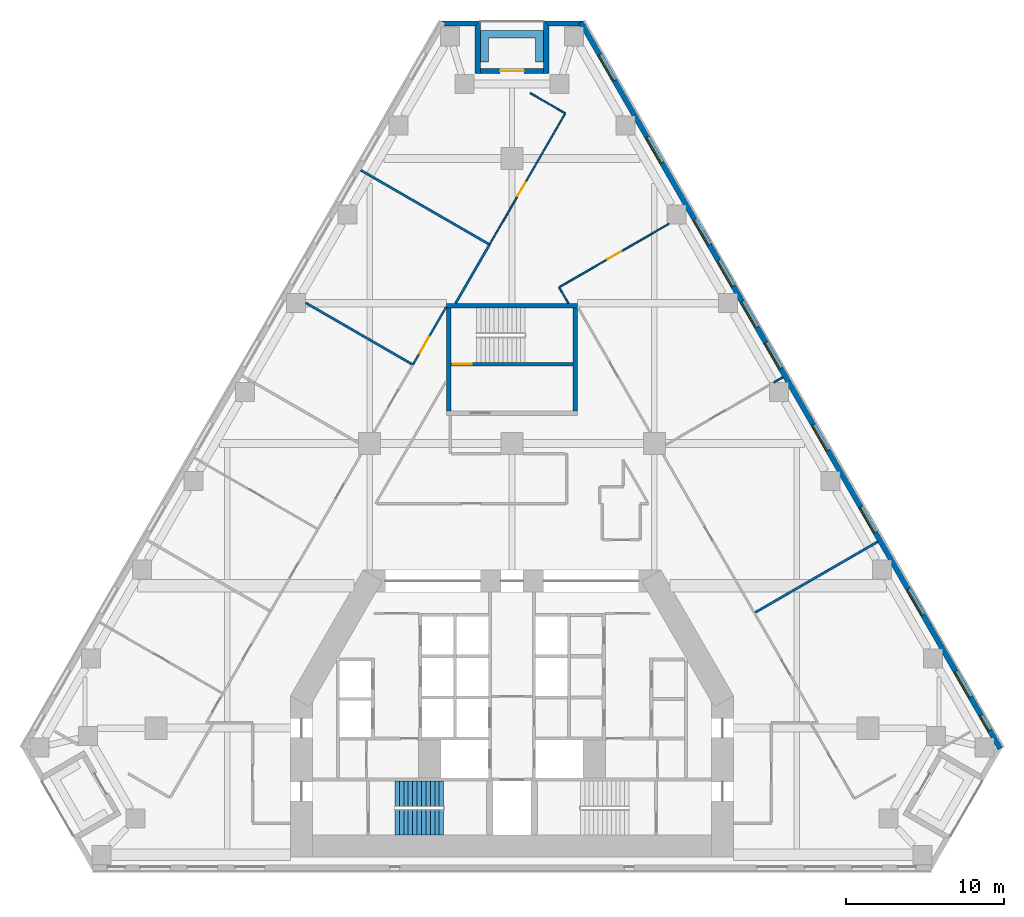
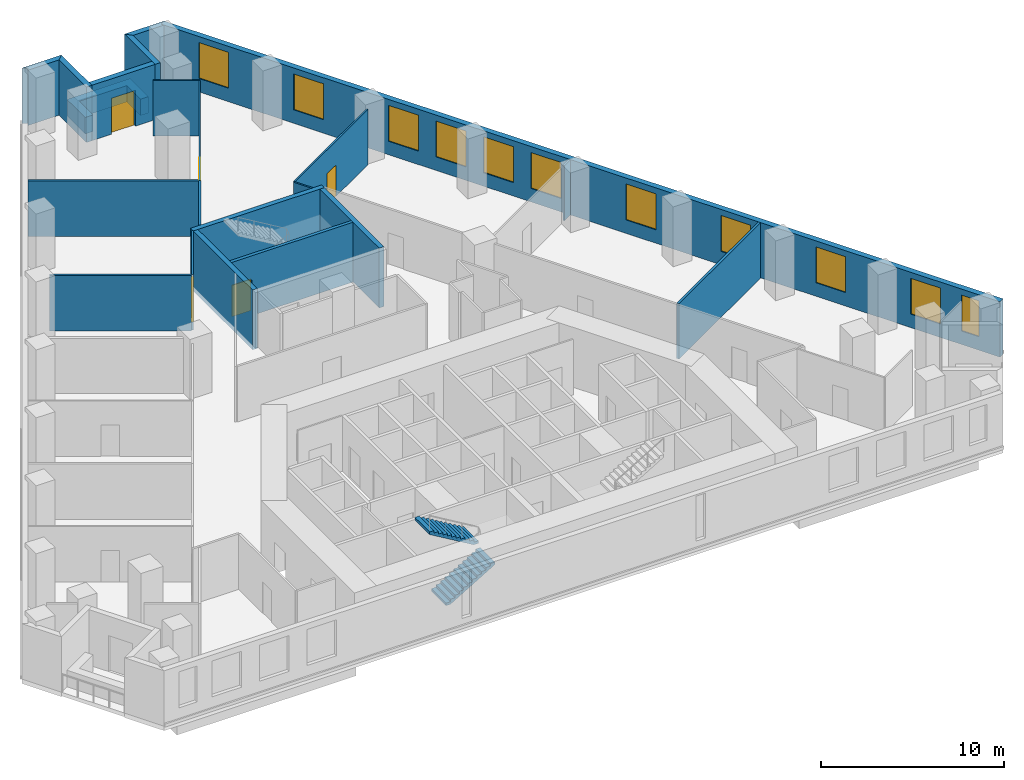
# One storey, part 7 of 9: 21 walls, 11 windows, 5 doors, 2 stair flights, 16 openings, 1 element without a shape of its own.
"""IFC4 building model written with IfcOpenShell, lengths in metres."""

from ifc_helpers import new_model, si_unit, direction, frame, frame_2d, origin, place, context, subcontext, project, spatial, polyline, rectangle, outline, extrude, material, layer, layer_set, type_object, element, fill, aggregate, save


model = new_model("IFC4")

# Units and contexts
model_context = context("Model", 3, precision=1e-05, world=origin(), true_north=direction((0.0, 1.0)))
body_context = subcontext(model_context, "Body", "Model", "MODEL_VIEW")
ifc_project = project(units=[si_unit("LENGTHUNIT", "METRE"), si_unit("AREAUNIT", "SQUARE_METRE"), si_unit("VOLUMEUNIT", "CUBIC_METRE"), si_unit("PLANEANGLEUNIT", "RADIAN"), si_unit("MASSUNIT", "GRAM", prefix="KILO")], contexts=[model_context])

# Site, building, storey
site_placement = place(None, origin())
site = spatial("IfcSite", under=ifc_project, at=site_placement, CompositionType="ELEMENT")
building_placement = place(site_placement, origin())
building = spatial("IfcBuilding", under=site, at=building_placement, Name="Fogline Exchange Tower", CompositionType="ELEMENT")
storey_placement = place(building_placement, frame((0.0, 0.0, 80.89990234375)))
storey = spatial("IfcBuildingStorey", under=building, at=storey_placement, Name="L17", CompositionType="ELEMENT", Elevation=80.89990234375)

# Wall, opening, door
ifc_material_1 = material(Name="Concrete C40", Category="concrete")
ifc_layer_1 = layer(ifc_material_1, 0.199951171875)
ifc_layer_set_1 = layer_set([ifc_layer_1], Name="CW20R")
wall_type_1 = type_object("IfcWallType", Name="CW20R", PredefinedType="SOLIDWALL", material=ifc_layer_set_1)
wall_1_placement = place(storey_placement, frame((-3.85009765625, 32.007080078125, -0.2998046875), z_axis=(0.0, 0.0, 1.0), x_axis=(1.0, 0.0, 0.0)))
wall_1 = element("IfcWall", 1, at=wall_1_placement, inside=storey, type_object=wall_type_1, Name="Stair enclosure wall ST3", PredefinedType="SOLIDWALL", context=body_context, shape_type="SweptSolid", body=[
    extrude(rectangle(XDim=7.7001953125, YDim=0.199951171875, at=frame_2d((3.85009765625, 0.0))), origin(), (0.0, 0.0, 1.0), 4.0),
])
opening_1_placement = place(wall_1_placement, frame((0.10009765625, 0.0, 0.300048828125)))
opening_1 = element("IfcOpeningElement", 2, at=opening_1_placement, cuts=wall_1, Name="Opening T05-C024", PredefinedType="OPENING", context=body_context, shape_type="SweptSolid", body=[
    extrude(rectangle(XDim=1.199951171875, YDim=2.10009765625, at=frame_2d((0.60009765625, 1.050048828125))), frame((0.0, 0.10986328125, 0.0), z_axis=(0.0, -1.0, 0.0), x_axis=(1.0, 0.0, 0.0)), (0.0, 0.0, 1.0), 0.219970703125),
])
ifc_material_2 = material(Name="Steel and timber fire door", Category="steel")
door_type_1 = type_object("IfcDoorType", Name="D-ST1", OperationType="SINGLE_SWING_LEFT", PredefinedType="DOOR", material=ifc_material_2)
door_1_placement = place(opening_1_placement, origin())
door_1 = element("IfcDoor", 3, at=door_1_placement, inside=storey, type_object=door_type_1, Name="Stair door ST3", OperationType="SINGLE_SWING_LEFT", OverallHeight=2.10009765625, OverallWidth=1.199951171875, PredefinedType="DOOR", context=body_context, shape_type="SweptSolid", body=[
    extrude(rectangle(XDim=1.199951171875, YDim=2.10009765625, at=frame_2d((0.60009765625, 1.050048828125))), frame((0.0, 0.02490234375, 0.0), z_axis=(0.0, -1.0, 0.0), x_axis=(1.0, 0.0, 0.0)), (0.0, 0.0, 1.0), 0.050048828125),
])
fill(opening_1, door_1)

# Walls
ifc_layer_2 = layer(ifc_material_1, 0.300048828125)
ifc_layer_set_2 = layer_set([ifc_layer_2], Name="CW30")
wall_type_2 = type_object("IfcWallType", Name="CW30", PredefinedType="SOLIDWALL", material=ifc_layer_set_2)
wall_2_placement = place(storey_placement, frame((-4.14990234375, 35.70703125, -0.2998046875), z_axis=(0.0, 0.0, 1.0), x_axis=(1.0, 0.0, 0.0)))
element("IfcWall", 4, at=wall_2_placement, inside=storey, type_object=wall_type_2, Name="Stair enclosure wall ST3", PredefinedType="SOLIDWALL", context=body_context, shape_type="SweptSolid", body=[
    extrude(rectangle(XDim=8.2998046875, YDim=0.300048828125, at=frame_2d((4.14990234375, 0.0))), origin(), (0.0, 0.0, 1.0), 4.0),
])
for number, where, z_axis, x_axis, name in (
    (5, (-4.0, 29.056884765625, -0.2998046875), (0.0, 0.0, 1.0), (0.0, 1.0, 0.0), "Stair enclosure wall ST3"),
    (6, (4.0, 29.056884765625, -0.2998046875), (0.0, 0.0, 1.0), (0.0, 1.0, 0.0), "Stair enclosure wall ST3"),
):
    element("IfcWall", number, at=place(storey_placement, frame(where, z_axis=z_axis, x_axis=x_axis)), inside=storey, type_object=wall_type_2, Name=name, PredefinedType="SOLIDWALL", context=body_context, shape_type="SweptSolid", body=[
        extrude(rectangle(XDim=6.5, YDim=0.300048828125, at=frame_2d((3.25, 0.0))), origin(), (0.0, 0.0, 1.0), 4.0),
    ])

# Wall, openings, windows
ifc_material_3 = material(Name="Brick masonry", Category="masonry")
ifc_layer_3 = layer(ifc_material_3, 0.340087890625)
ifc_layer_set_3 = layer_set([ifc_layer_3], Name="FW1")
wall_type_3 = type_object("IfcWallType", Name="FW1", PredefinedType="SOLIDWALL", material=ifc_layer_set_3)
wall_3_placement = place(storey_placement, frame((30.86328125, 7.709228515625, 0.0), z_axis=(0.0, 0.0, 1.0), x_axis=(-0.500000400847, 0.866025172355, 0.0)))
wall_3 = element("IfcWall", 7, at=wall_3_placement, inside=storey, type_object=wall_type_3, Name="Brick wall L17 E", PredefinedType="SOLIDWALL", context=body_context, shape_type="SweptSolid", body=[
    extrude(rectangle(XDim=53.02099609375, YDim=0.340087890625, at=frame_2d((26.510498046875, 0.0))), origin(), (0.0, 0.0, 1.0), 3.7001953125),
])
opening_2_placement = place(wall_3_placement, frame((3.755126953125, 0.0, 0.89990234375)))
opening_2 = element("IfcOpeningElement", 8, at=opening_2_placement, cuts=wall_3, Name="Opening W1", PredefinedType="OPENING", context=body_context, shape_type="SweptSolid", body=[
    extrude(rectangle(XDim=1.885009765625, YDim=2.39990234375, at=frame_2d((0.9423828125, 1.199951171875))), frame((0.0, 0.18017578125, 0.0), z_axis=(0.0, -1.0, 0.0), x_axis=(1.0, 0.0, 0.0)), (0.0, 0.0, 1.0), 0.360107421875),
])
opening_3_placement = place(wall_3_placement, frame((9.755126953125, 0.0, 0.89990234375)))
opening_3 = element("IfcOpeningElement", 9, at=opening_3_placement, cuts=wall_3, Name="Opening W1", PredefinedType="OPENING", context=body_context, shape_type="SweptSolid", body=[
    extrude(rectangle(XDim=1.885009765625, YDim=2.39990234375, at=frame_2d((0.9423828125, 1.199951171875))), frame((0.0, 0.18017578125, 0.0), z_axis=(0.0, -1.0, 0.0), x_axis=(1.0, 0.0, 0.0)), (0.0, 0.0, 1.0), 0.360107421875),
])
opening_4_placement = place(wall_3_placement, frame((15.755126953125, 0.0, 0.89990234375)))
opening_4 = element("IfcOpeningElement", 10, at=opening_4_placement, cuts=wall_3, Name="Opening W1", PredefinedType="OPENING", context=body_context, shape_type="SweptSolid", body=[
    extrude(rectangle(XDim=1.885009765625, YDim=2.39990234375, at=frame_2d((0.9423828125, 1.199951171875))), frame((0.0, 0.18017578125, 0.0), z_axis=(0.0, -1.0, 0.0), x_axis=(1.0, 0.0, 0.0)), (0.0, 0.0, 1.0), 0.360107421875),
])
opening_5_placement = place(wall_3_placement, frame((21.755126953125, 0.0, 0.89990234375)))
opening_5 = element("IfcOpeningElement", 11, at=opening_5_placement, cuts=wall_3, Name="Opening W1", PredefinedType="OPENING", context=body_context, shape_type="SweptSolid", body=[
    extrude(rectangle(XDim=1.885009765625, YDim=2.39990234375, at=frame_2d((0.9423828125, 1.199951171875))), frame((0.0, 0.18017578125, 0.0), z_axis=(0.0, -1.0, 0.0), x_axis=(1.0, 0.0, 0.0)), (0.0, 0.0, 1.0), 0.360107421875),
])
opening_6_placement = place(wall_3_placement, frame((27.755126953125, 0.0, 0.89990234375)))
opening_6 = element("IfcOpeningElement", 12, at=opening_6_placement, cuts=wall_3, Name="Opening W1", PredefinedType="OPENING", context=body_context, shape_type="SweptSolid", body=[
    extrude(rectangle(XDim=1.885009765625, YDim=2.39990234375, at=frame_2d((0.9423828125, 1.199951171875))), frame((0.0, 0.18017578125, 0.0), z_axis=(0.0, -1.0, 0.0), x_axis=(1.0, 0.0, 0.0)), (0.0, 0.0, 1.0), 0.360107421875),
])
opening_7_placement = place(wall_3_placement, frame((30.755126953125, 0.0, 0.89990234375)))
opening_7 = element("IfcOpeningElement", 13, at=opening_7_placement, cuts=wall_3, Name="Opening W1", PredefinedType="OPENING", context=body_context, shape_type="SweptSolid", body=[
    extrude(rectangle(XDim=1.885009765625, YDim=2.39990234375, at=frame_2d((0.9423828125, 1.199951171875))), frame((0.0, 0.18017578125, 0.0), z_axis=(0.0, -1.0, 0.0), x_axis=(1.0, 0.0, 0.0)), (0.0, 0.0, 1.0), 0.360107421875),
])
opening_8_placement = place(wall_3_placement, frame((33.755126953125, 0.0, 0.89990234375)))
opening_8 = element("IfcOpeningElement", 14, at=opening_8_placement, cuts=wall_3, Name="Opening W1", PredefinedType="OPENING", context=body_context, shape_type="SweptSolid", body=[
    extrude(rectangle(XDim=1.885009765625, YDim=2.39990234375, at=frame_2d((0.9423828125, 1.199951171875))), frame((0.0, 0.18017578125, 0.0), z_axis=(0.0, -1.0, 0.0), x_axis=(1.0, 0.0, 0.0)), (0.0, 0.0, 1.0), 0.360107421875),
])
opening_9_placement = place(wall_3_placement, frame((36.755126953125, 0.0, 0.89990234375)))
opening_9 = element("IfcOpeningElement", 15, at=opening_9_placement, cuts=wall_3, Name="Opening W1", PredefinedType="OPENING", context=body_context, shape_type="SweptSolid", body=[
    extrude(rectangle(XDim=1.885009765625, YDim=2.39990234375, at=frame_2d((0.9423828125, 1.199951171875))), frame((0.0, 0.18017578125, 0.0), z_axis=(0.0, -1.0, 0.0), x_axis=(1.0, 0.0, 0.0)), (0.0, 0.0, 1.0), 0.360107421875),
])
opening_10_placement = place(wall_3_placement, frame((42.755126953125, 0.0, 0.89990234375)))
opening_10 = element("IfcOpeningElement", 16, at=opening_10_placement, cuts=wall_3, Name="Opening W1", PredefinedType="OPENING", context=body_context, shape_type="SweptSolid", body=[
    extrude(rectangle(XDim=1.885009765625, YDim=2.39990234375, at=frame_2d((0.9423828125, 1.199951171875))), frame((0.0, 0.18017578125, 0.0), z_axis=(0.0, -1.0, 0.0), x_axis=(1.0, 0.0, 0.0)), (0.0, 0.0, 1.0), 0.360107421875),
])
opening_11_placement = place(wall_3_placement, frame((48.755126953125, 0.0, 0.89990234375)))
opening_11 = element("IfcOpeningElement", 17, at=opening_11_placement, cuts=wall_3, Name="Opening W1", PredefinedType="OPENING", context=body_context, shape_type="SweptSolid", body=[
    extrude(rectangle(XDim=1.885009765625, YDim=2.39990234375, at=frame_2d((0.9423828125, 1.199951171875))), frame((0.0, 0.18017578125, 0.0), z_axis=(0.0, -1.0, 0.0), x_axis=(1.0, 0.0, 0.0)), (0.0, 0.0, 1.0), 0.360107421875),
])
opening_12_placement = place(wall_3_placement, frame((1.320068359375, 0.0, 0.89990234375)))
opening_12 = element("IfcOpeningElement", 18, at=opening_12_placement, cuts=wall_3, Name="Opening W4", PredefinedType="OPENING", context=body_context, shape_type="SweptSolid", body=[
    extrude(rectangle(XDim=1.114990234375, YDim=2.39990234375, at=frame_2d((0.5576171875, 1.199951171875))), frame((0.0, 0.18017578125, 0.0), z_axis=(0.0, -1.0, 0.0), x_axis=(1.0, 0.0, 0.0)), (0.0, 0.0, 1.0), 0.360107421875),
])
ifc_material_4 = material(Name="Aluminium and glass", Category="aluminium")
window_type_1 = type_object("IfcWindowType", Name="W1", PartitioningType="SINGLE_PANEL", PredefinedType="WINDOW", material=ifc_material_4)
window_1_placement = place(opening_2_placement, origin())
window_1 = element("IfcWindow", 19, at=window_1_placement, inside=storey, type_object=window_type_1, Name="W1 W1", OverallHeight=2.39990234375, OverallWidth=1.885009765625, PartitioningType="SINGLE_PANEL", PredefinedType="WINDOW", context=body_context, shape_type="SweptSolid", body=[
    extrude(rectangle(XDim=1.885009765625, YDim=2.39990234375, at=frame_2d((0.9423828125, 1.199951171875))), frame((0.0, 0.110107421875, 0.0), z_axis=(0.0, -1.0, 0.0), x_axis=(1.0, 0.0, 0.0)), (0.0, 0.0, 1.0), 0.06005859375),
])
fill(opening_2, window_1)
window_2_placement = place(opening_3_placement, origin())
window_2 = element("IfcWindow", 20, at=window_2_placement, inside=storey, type_object=window_type_1, Name="W1 W1", OverallHeight=2.39990234375, OverallWidth=1.885009765625, PartitioningType="SINGLE_PANEL", PredefinedType="WINDOW", context=body_context, shape_type="SweptSolid", body=[
    extrude(rectangle(XDim=1.885009765625, YDim=2.39990234375, at=frame_2d((0.9423828125, 1.199951171875))), frame((0.0, 0.110107421875, 0.0), z_axis=(0.0, -1.0, 0.0), x_axis=(1.0, 0.0, 0.0)), (0.0, 0.0, 1.0), 0.06005859375),
])
fill(opening_3, window_2)
window_3_placement = place(opening_4_placement, origin())
window_3 = element("IfcWindow", 21, at=window_3_placement, inside=storey, type_object=window_type_1, Name="W1 W1", OverallHeight=2.39990234375, OverallWidth=1.885009765625, PartitioningType="SINGLE_PANEL", PredefinedType="WINDOW", context=body_context, shape_type="SweptSolid", body=[
    extrude(rectangle(XDim=1.885009765625, YDim=2.39990234375, at=frame_2d((0.9423828125, 1.199951171875))), frame((0.0, 0.110107421875, 0.0), z_axis=(0.0, -1.0, 0.0), x_axis=(1.0, 0.0, 0.0)), (0.0, 0.0, 1.0), 0.06005859375),
])
fill(opening_4, window_3)
window_4_placement = place(opening_5_placement, origin())
window_4 = element("IfcWindow", 22, at=window_4_placement, inside=storey, type_object=window_type_1, Name="W1 W1", OverallHeight=2.39990234375, OverallWidth=1.885009765625, PartitioningType="SINGLE_PANEL", PredefinedType="WINDOW", context=body_context, shape_type="SweptSolid", body=[
    extrude(rectangle(XDim=1.885009765625, YDim=2.39990234375, at=frame_2d((0.9423828125, 1.199951171875))), frame((0.0, 0.110107421875, 0.0), z_axis=(0.0, -1.0, 0.0), x_axis=(1.0, 0.0, 0.0)), (0.0, 0.0, 1.0), 0.06005859375),
])
fill(opening_5, window_4)
window_5_placement = place(opening_6_placement, origin())
window_5 = element("IfcWindow", 23, at=window_5_placement, inside=storey, type_object=window_type_1, Name="W1 W1", OverallHeight=2.39990234375, OverallWidth=1.885009765625, PartitioningType="SINGLE_PANEL", PredefinedType="WINDOW", context=body_context, shape_type="SweptSolid", body=[
    extrude(rectangle(XDim=1.885009765625, YDim=2.39990234375, at=frame_2d((0.9423828125, 1.199951171875))), frame((0.0, 0.110107421875, 0.0), z_axis=(0.0, -1.0, 0.0), x_axis=(1.0, 0.0, 0.0)), (0.0, 0.0, 1.0), 0.06005859375),
])
fill(opening_6, window_5)
window_6_placement = place(opening_7_placement, origin())
window_6 = element("IfcWindow", 24, at=window_6_placement, inside=storey, type_object=window_type_1, Name="W1 W1", OverallHeight=2.39990234375, OverallWidth=1.885009765625, PartitioningType="SINGLE_PANEL", PredefinedType="WINDOW", context=body_context, shape_type="SweptSolid", body=[
    extrude(rectangle(XDim=1.885009765625, YDim=2.39990234375, at=frame_2d((0.9423828125, 1.199951171875))), frame((0.0, 0.110107421875, 0.0), z_axis=(0.0, -1.0, 0.0), x_axis=(1.0, 0.0, 0.0)), (0.0, 0.0, 1.0), 0.06005859375),
])
fill(opening_7, window_6)
window_7_placement = place(opening_8_placement, origin())
window_7 = element("IfcWindow", 25, at=window_7_placement, inside=storey, type_object=window_type_1, Name="W1 W1", OverallHeight=2.39990234375, OverallWidth=1.885009765625, PartitioningType="SINGLE_PANEL", PredefinedType="WINDOW", context=body_context, shape_type="SweptSolid", body=[
    extrude(rectangle(XDim=1.885009765625, YDim=2.39990234375, at=frame_2d((0.9423828125, 1.199951171875))), frame((0.0, 0.110107421875, 0.0), z_axis=(0.0, -1.0, 0.0), x_axis=(1.0, 0.0, 0.0)), (0.0, 0.0, 1.0), 0.06005859375),
])
fill(opening_8, window_7)
window_8_placement = place(opening_9_placement, origin())
window_8 = element("IfcWindow", 26, at=window_8_placement, inside=storey, type_object=window_type_1, Name="W1 W1", OverallHeight=2.39990234375, OverallWidth=1.885009765625, PartitioningType="SINGLE_PANEL", PredefinedType="WINDOW", context=body_context, shape_type="SweptSolid", body=[
    extrude(rectangle(XDim=1.885009765625, YDim=2.39990234375, at=frame_2d((0.9423828125, 1.199951171875))), frame((0.0, 0.110107421875, 0.0), z_axis=(0.0, -1.0, 0.0), x_axis=(1.0, 0.0, 0.0)), (0.0, 0.0, 1.0), 0.06005859375),
])
fill(opening_9, window_8)
window_9_placement = place(opening_10_placement, origin())
window_9 = element("IfcWindow", 27, at=window_9_placement, inside=storey, type_object=window_type_1, Name="W1 W1", OverallHeight=2.39990234375, OverallWidth=1.885009765625, PartitioningType="SINGLE_PANEL", PredefinedType="WINDOW", context=body_context, shape_type="SweptSolid", body=[
    extrude(rectangle(XDim=1.885009765625, YDim=2.39990234375, at=frame_2d((0.9423828125, 1.199951171875))), frame((0.0, 0.110107421875, 0.0), z_axis=(0.0, -1.0, 0.0), x_axis=(1.0, 0.0, 0.0)), (0.0, 0.0, 1.0), 0.06005859375),
])
fill(opening_10, window_9)
window_10_placement = place(opening_11_placement, origin())
window_10 = element("IfcWindow", 28, at=window_10_placement, inside=storey, type_object=window_type_1, Name="W1 W1", OverallHeight=2.39990234375, OverallWidth=1.885009765625, PartitioningType="SINGLE_PANEL", PredefinedType="WINDOW", context=body_context, shape_type="SweptSolid", body=[
    extrude(rectangle(XDim=1.885009765625, YDim=2.39990234375, at=frame_2d((0.9423828125, 1.199951171875))), frame((0.0, 0.110107421875, 0.0), z_axis=(0.0, -1.0, 0.0), x_axis=(1.0, 0.0, 0.0)), (0.0, 0.0, 1.0), 0.06005859375),
])
fill(opening_11, window_10)
window_type_2 = type_object("IfcWindowType", Name="W4", PartitioningType="SINGLE_PANEL", PredefinedType="WINDOW", material=ifc_material_4)
window_11_placement = place(opening_12_placement, origin())
window_11 = element("IfcWindow", 29, at=window_11_placement, inside=storey, type_object=window_type_2, Name="W4 W4", OverallHeight=2.39990234375, OverallWidth=1.114990234375, PartitioningType="SINGLE_PANEL", PredefinedType="WINDOW", context=body_context, shape_type="SweptSolid", body=[
    extrude(rectangle(XDim=1.114990234375, YDim=2.39990234375, at=frame_2d((0.5576171875, 1.199951171875))), frame((0.0, 0.110107421875, 0.0), z_axis=(0.0, -1.0, 0.0), x_axis=(1.0, 0.0, 0.0)), (0.0, 0.0, 1.0), 0.06005859375),
])
fill(opening_12, window_11)

# Walls
wall_4_placement = place(storey_placement, origin())
element("IfcWall", 30, at=wall_4_placement, inside=storey, type_object=wall_type_3, Name="Brick wall L17 N-c1", PredefinedType="SOLIDWALL", context=body_context, shape_type="SweptSolid", body=[
    extrude(outline(polyline([(1.9990234375, 53.712158203125), (4.5009765625, 53.712158203125), (4.501220703125, 53.711669921875), (4.206298828125, 53.54150390625), (4.3046875, 53.37109375), (2.33984375, 53.37109375), (1.998779296875, 53.7119140625), (1.9990234375, 53.712158203125)])), origin(), (0.0, 0.0, 1.0), 3.7001953125),
])
wall_5_placement = place(storey_placement, origin())
element("IfcWall", 31, at=wall_5_placement, inside=storey, type_object=wall_type_3, Name="Brick wall L17 N-s1", PredefinedType="SOLIDWALL", context=body_context, shape_type="SweptSolid", body=[
    extrude(outline(polyline([(2.340576171875, 50.37109375), (1.99951171875, 50.37109375), (1.99951171875, 53.712646484375), (1.999755859375, 53.712890625), (2.340576171875, 53.371826171875), (2.340576171875, 50.37109375)])), origin(), (0.0, 0.0, 1.0), 3.7001953125),
])

# Wall, opening, door
wall_6_placement = place(storey_placement, frame((2.0, 50.541748046875, 0.0), z_axis=(0.0, 0.0, 1.0), x_axis=(-1.0, 0.0, 0.0)))
wall_6 = element("IfcWall", 32, at=wall_6_placement, inside=storey, type_object=wall_type_3, Name="Brick wall L17 N-bk", PredefinedType="SOLIDWALL", context=body_context, shape_type="SweptSolid", body=[
    extrude(rectangle(XDim=4.0, YDim=0.340087890625, at=frame_2d((2.0, 0.0))), origin(), (0.0, 0.0, 1.0), 3.7001953125),
])
opening_13_placement = place(wall_6_placement, frame((1.25, 0.0, 0.0)))
opening_13 = element("IfcOpeningElement", 33, at=opening_13_placement, cuts=wall_6, Name="Opening T05-E141", PredefinedType="OPENING", context=body_context, shape_type="SweptSolid", body=[
    extrude(rectangle(XDim=1.5, YDim=2.39990234375, at=frame_2d((0.75, 1.199951171875))), frame((0.0, 0.18017578125, 0.0), z_axis=(0.0, -1.0, 0.0), x_axis=(1.0, 0.0, 0.0)), (0.0, 0.0, 1.0), 0.360107421875),
])
door_type_2 = type_object("IfcDoorType", Name="ED4", OperationType="SINGLE_SWING_LEFT", PredefinedType="DOOR", material=ifc_material_4)
door_2_placement = place(opening_13_placement, frame((1.5, 0.0, 0.0), z_axis=(0.0, 0.0, 1.0), x_axis=(-1.0, 0.0, 0.0)))
door_2 = element("IfcDoor", 34, at=door_2_placement, inside=storey, type_object=door_type_2, Name="Balcony door L17 N", OperationType="DOUBLE_DOOR_SINGLE_SWING", OverallHeight=2.39990234375, OverallWidth=1.5, PredefinedType="DOOR", context=body_context, shape_type="SweptSolid", body=[
    extrude(rectangle(XDim=1.5, YDim=2.39990234375, at=frame_2d((0.75, 1.199951171875))), frame((0.0, 0.02490234375, 0.0), z_axis=(0.0, -1.0, 0.0), x_axis=(1.0, 0.0, 0.0)), (0.0, 0.0, 1.0), 0.050048828125),
])
fill(opening_13, door_2)

# Walls
wall_7_placement = place(storey_placement, origin())
element("IfcWall", 35, at=wall_7_placement, inside=storey, type_object=wall_type_3, Name="Brick wall L17 N-s2", PredefinedType="SOLIDWALL", context=body_context, shape_type="SweptSolid", body=[
    extrude(outline(polyline([(-1.99951171875, 53.712646484375), (-1.99951171875, 50.37109375), (-2.340576171875, 50.37109375), (-2.340576171875, 53.371826171875), (-1.999755859375, 53.712890625), (-1.99951171875, 53.712646484375)])), origin(), (0.0, 0.0, 1.0), 3.7001953125),
])
wall_8_placement = place(storey_placement, origin())
element("IfcWall", 36, at=wall_8_placement, inside=storey, type_object=wall_type_3, Name="Brick wall L17 N-c2", PredefinedType="SOLIDWALL", context=body_context, shape_type="SweptSolid", body=[
    extrude(outline(polyline([(-4.3046875, 53.37109375), (-4.206298828125, 53.54150390625), (-4.501220703125, 53.711669921875), (-4.5009765625, 53.712158203125), (-1.9990234375, 53.712158203125), (-1.998779296875, 53.7119140625), (-2.33984375, 53.37109375), (-4.3046875, 53.37109375)])), origin(), (0.0, 0.0, 1.0), 3.7001953125),
])
ifc_material_5 = material(Name="Concrete C30", Category="concrete")
ifc_layer_4 = layer(ifc_material_5, 0.199951171875)
ifc_layer_set_4 = layer_set([ifc_layer_4], Name="PL1")
wall_type_4 = type_object("IfcWallType", Name="PL1", PredefinedType="USERDEFINED", material=ifc_layer_set_4)
wall_9_placement = place(storey_placement, origin())
element("IfcWall", 37, at=wall_9_placement, inside=storey, type_object=wall_type_4, Name="PLANTER balcony L17 N", ObjectType="PLANTER", PredefinedType="USERDEFINED", context=body_context, shape_type="SweptSolid", body=[
    extrude(outline(polyline([(-1.5, 53.11181640625), (-2.0, 53.11181640625), (-2.0, 52.61181640625), (-2.0, 51.11181640625), (-1.5, 51.11181640625), (-1.5, 52.61181640625), (1.5, 52.61181640625), (1.5, 51.11181640625), (2.0, 51.11181640625), (2.0, 52.61181640625), (2.0, 53.11181640625), (1.5, 53.11181640625), (-1.5, 53.11181640625)])), origin(), (0.0, 0.0, 1.0), 1.10009765625),
])
ifc_material_6 = material(Name="Plasterboard partition, 2 layers each side on steel studs", Category="steel")
ifc_layer_5 = layer(ifc_material_6, 0.10009765625)
ifc_layer_set_5 = layer_set([ifc_layer_5], Name="PW1")
wall_type_5 = type_object("IfcWallType", Name="PW1", PredefinedType="PARTITIONING", material=ifc_layer_set_5)
wall_10_placement = place(storey_placement, frame((16.553955078125, 30.852783203125, 0.0), z_axis=(0.0, 0.0, 1.0), x_axis=(0.866016800201, 0.500014901547, 0.0)))
element("IfcWall", 38, at=wall_10_placement, inside=storey, type_object=wall_type_5, Name="wall-L17-W033", PredefinedType="PARTITIONING", context=body_context, shape_type="SweptSolid", body=[
    extrude(rectangle(XDim=0.650390625, YDim=0.10009765625, at=frame_2d((0.3251953125, 0.0))), origin(), (0.0, 0.0, 1.0), 3.7001953125),
])
wall_11_placement = place(storey_placement, frame((3.5615234375, 35.85693359375, 0.0), z_axis=(0.0, 0.0, 1.0), x_axis=(-0.499909086075, 0.866077886601, 0.0)))
element("IfcWall", 39, at=wall_11_placement, inside=storey, type_object=wall_type_5, Name="wall-L17-W035", PredefinedType="PARTITIONING", context=body_context, shape_type="SweptSolid", body=[
    extrude(rectangle(XDim=1.170166015625, YDim=0.10009765625, at=frame_2d((0.5849609375, 0.0))), origin(), (0.0, 0.0, 1.0), 3.7001953125),
])

# Wall, opening, door
wall_12_placement = place(storey_placement, frame((3.019775390625, 36.8955078125, 0.0), z_axis=(0.0, 0.0, 1.0), x_axis=(0.866030075383, 0.499991908467, 0.0)))
wall_12 = element("IfcWall", 40, at=wall_12_placement, inside=storey, type_object=wall_type_5, Name="wall-L17-W036", PredefinedType="PARTITIONING", context=body_context, shape_type="SweptSolid", body=[
    extrude(rectangle(XDim=7.973876953125, YDim=0.10009765625, at=frame_2d((3.98681640625, 0.0))), origin(), (0.0, 0.0, 1.0), 3.7001953125),
])
opening_14_placement = place(wall_12_placement, frame((3.48681640625, 0.0, 0.0)))
opening_14 = element("IfcOpeningElement", 41, at=opening_14_placement, cuts=wall_12, Name="Opening T05-D015", PredefinedType="OPENING", context=body_context, shape_type="SweptSolid", body=[
    extrude(rectangle(XDim=1.0, YDim=2.10009765625, at=frame_2d((0.5, 1.050048828125))), frame((0.0, 0.06005859375, 0.0), z_axis=(0.0, -1.0, 0.0), x_axis=(1.0, 0.0, 0.0)), (0.0, 0.0, 1.0), 0.1201171875),
])
ifc_material_7 = material(Name="Timber door leaf with steel frame", Category="steel")
door_type_3 = type_object("IfcDoorType", Name="D1", OperationType="SINGLE_SWING_LEFT", PredefinedType="DOOR", material=ifc_material_7)
door_3_placement = place(opening_14_placement, frame((1.0, 0.0, 0.0), z_axis=(0.0, 0.0, 1.0), x_axis=(-1.0, 0.0, 0.0)))
door_3 = element("IfcDoor", 42, at=door_3_placement, inside=storey, type_object=door_type_3, Name="door-L17-D015", OperationType="SINGLE_SWING_RIGHT", OverallHeight=2.10009765625, OverallWidth=1.0, PredefinedType="DOOR", context=body_context, shape_type="SweptSolid", body=[
    extrude(rectangle(XDim=1.0, YDim=2.10009765625, at=frame_2d((0.5, 1.050048828125))), frame((0.0, 0.02490234375, 0.0), z_axis=(0.0, -1.0, 0.0), x_axis=(1.0, 0.0, 0.0)), (0.0, 0.0, 1.0), 0.050048828125),
])
fill(opening_14, door_3)

wall_13_placement = place(storey_placement, frame((-1.4189453125, 39.568115234375, 0.0), z_axis=(0.0, 0.0, 1.0), x_axis=(0.499998303669, 0.866026383159, 0.0)))
wall_13 = element("IfcWall", 43, at=wall_13_placement, inside=storey, type_object=wall_type_5, Name="wall-L17-W037", PredefinedType="PARTITIONING", context=body_context, shape_type="SweptSolid", body=[
    extrude(rectangle(XDim=9.525390625, YDim=0.10009765625, at=frame_2d((4.7626953125, 0.0))), origin(), (0.0, 0.0, 1.0), 3.7001953125),
])
opening_15_placement = place(wall_13_placement, frame((3.533203125, 0.0, 0.0)))
opening_15 = element("IfcOpeningElement", 44, at=opening_15_placement, cuts=wall_13, Name="Opening T05-D016", PredefinedType="OPENING", context=body_context, shape_type="SweptSolid", body=[
    extrude(rectangle(XDim=1.0, YDim=2.10009765625, at=frame_2d((0.5, 1.050048828125))), frame((0.0, 0.06005859375, 0.0), z_axis=(0.0, -1.0, 0.0), x_axis=(1.0, 0.0, 0.0)), (0.0, 0.0, 1.0), 0.1201171875),
])
door_4_placement = place(opening_15_placement, origin())
door_4 = element("IfcDoor", 45, at=door_4_placement, inside=storey, type_object=door_type_3, Name="door-L17-D016", OperationType="SINGLE_SWING_LEFT", OverallHeight=2.10009765625, OverallWidth=1.0, PredefinedType="DOOR", context=body_context, shape_type="SweptSolid", body=[
    extrude(rectangle(XDim=1.0, YDim=2.10009765625, at=frame_2d((0.5, 1.050048828125))), frame((0.0, 0.02490234375, 0.0), z_axis=(0.0, -1.0, 0.0), x_axis=(1.0, 0.0, 0.0)), (0.0, 0.0, 1.0), 0.050048828125),
])
fill(opening_15, door_4)

# Wall
wall_14_placement = place(storey_placement, frame((3.36865234375, 47.860595703125, 0.0), z_axis=(0.0, 0.0, 1.0), x_axis=(-0.866023722158, 0.50000291265, 0.0)))
element("IfcWall", 46, at=wall_14_placement, inside=storey, type_object=wall_type_5, Name="wall-L17-W038", PredefinedType="PARTITIONING", context=body_context, shape_type="SweptSolid", body=[
    extrude(rectangle(XDim=2.56201171875, YDim=0.10009765625, at=frame_2d((1.281005859375, 0.0))), origin(), (0.0, 0.0, 1.0), 3.7001953125),
])

# Wall, opening, door
ifc_material_8 = material(Name="Plasterboard corridor partition with mineral wool, 2 layers each side")
ifc_layer_6 = layer(ifc_material_8, 0.125)
ifc_layer_set_6 = layer_set([ifc_layer_6], Name="PW2")
wall_type_6 = type_object("IfcWallType", Name="PW2", PredefinedType="PARTITIONING", material=ifc_layer_set_6)
wall_15_placement = place(storey_placement, frame((-6.265380859375, 31.973876953125, 0.0), z_axis=(0.0, 0.0, 1.0), x_axis=(0.500005503224, 0.866022226473, 0.0)))
wall_15 = element("IfcWall", 47, at=wall_15_placement, inside=storey, type_object=wall_type_6, Name="wall-L17-W010", PredefinedType="PARTITIONING", context=body_context, shape_type="SweptSolid", body=[
    extrude(rectangle(XDim=4.23095703125, YDim=0.125, at=frame_2d((2.115478515625, 0.0))), origin(), (0.0, 0.0, 1.0), 3.7001953125),
])
opening_16_placement = place(wall_15_placement, frame((0.8251953125, 0.0, 0.0)))
opening_16 = element("IfcOpeningElement", 48, at=opening_16_placement, cuts=wall_15, Name="Opening T05-D005", PredefinedType="OPENING", context=body_context, shape_type="SweptSolid", body=[
    extrude(rectangle(XDim=1.199951171875, YDim=2.10009765625, at=frame_2d((0.60009765625, 1.050048828125))), frame((0.0, 0.072509765625, 0.0), z_axis=(0.0, -1.0, 0.0), x_axis=(1.0, 0.0, 0.0)), (0.0, 0.0, 1.0), 0.14501953125),
])
ifc_material_9 = material(Name="Fire-rated glazed door leaf with steel frame", Category="steel")
door_type_4 = type_object("IfcDoorType", Name="D5", OperationType="SINGLE_SWING_LEFT", PredefinedType="DOOR", material=ifc_material_9)
door_5_placement = place(opening_16_placement, origin())
door_5 = element("IfcDoor", 49, at=door_5_placement, inside=storey, type_object=door_type_4, Name="door-L17-D005", OperationType="SINGLE_SWING_LEFT", OverallHeight=2.10009765625, OverallWidth=1.199951171875, PredefinedType="DOOR", context=body_context, shape_type="SweptSolid", body=[
    extrude(rectangle(XDim=1.199951171875, YDim=2.10009765625, at=frame_2d((0.60009765625, 1.050048828125))), frame((0.0, 0.02490234375, 0.0), z_axis=(0.0, -1.0, 0.0), x_axis=(1.0, 0.0, 0.0)), (0.0, 0.0, 1.0), 0.050048828125),
])
fill(opening_16, door_5)

# Walls
ifc_material_10 = material(Name="Plasterboard demising partition with mineral wool and acoustic board")
ifc_layer_7 = layer(ifc_material_10, 0.14990234375)
ifc_layer_set_7 = layer_set([ifc_layer_7], Name="PW3")
wall_type_7 = type_object("IfcWallType", Name="PW3", PredefinedType="PARTITIONING", material=ifc_layer_set_7)
wall_16_placement = place(storey_placement, frame((23.1171875, 20.785888671875, 0.0), z_axis=(0.0, 0.0, 1.0), x_axis=(-0.866029105215, -0.49999358888, 0.0)))
element("IfcWall", 50, at=wall_16_placement, inside=storey, type_object=wall_type_7, Name="wall-L17-W034", PredefinedType="PARTITIONING", context=body_context, shape_type="SweptSolid", body=[
    extrude(rectangle(XDim=8.9375, YDim=0.14990234375, at=frame_2d((4.46875, 0.0))), origin(), (0.0, 0.0, 1.0), 3.7001953125),
])
wall_17_placement = place(storey_placement, frame((-3.5615234375, 35.85693359375, 0.0), z_axis=(0.0, 0.0, 1.0), x_axis=(0.49998711961, 0.866032840154, 0.0)))
element("IfcWall", 51, at=wall_17_placement, inside=storey, type_object=wall_type_7, Name="wall-L17-W039", PredefinedType="PARTITIONING", context=body_context, shape_type="SweptSolid", body=[
    extrude(rectangle(XDim=4.28515625, YDim=0.14990234375, at=frame_2d((2.142578125, 0.0))), origin(), (0.0, 0.0, 1.0), 3.7001953125),
])
wall_18_placement = place(storey_placement, frame((-1.48388671875, 39.605712890625, 0.0), z_axis=(0.0, 0.0, 1.0), x_axis=(-0.866032117483, 0.499988371352, 0.0)))
element("IfcWall", 52, at=wall_18_placement, inside=storey, type_object=wall_type_7, Name="wall-L17-W040", PredefinedType="PARTITIONING", context=body_context, shape_type="SweptSolid", body=[
    extrude(rectangle(XDim=9.324951171875, YDim=0.14990234375, at=frame_2d((4.66259765625, 0.0))), origin(), (0.0, 0.0, 1.0), 3.7001953125),
])
wall_19_placement = place(storey_placement, frame((-6.319580078125, 32.005126953125, 0.0), z_axis=(0.0, 0.0, 1.0), x_axis=(-0.866020215416, 0.50000898641, 0.0)))
element("IfcWall", 53, at=wall_19_placement, inside=storey, type_object=wall_type_7, Name="wall-L17-W041", PredefinedType="PARTITIONING", context=body_context, shape_type="SweptSolid", body=[
    extrude(rectangle(XDim=7.768798828125, YDim=0.14990234375, at=frame_2d((3.88427734375, 0.0))), origin(), (0.0, 0.0, 1.0), 3.7001953125),
])

# Stair, stair flights
stair_type = type_object("IfcStairType", Name="STR24-1667", PredefinedType="HALF_TURN_STAIR", material=ifc_material_1)
stair_placement = place(storey_placement, origin())
stair = element("IfcStair", 54, at=stair_placement, inside=storey, type_object=stair_type, Name="Stair ST1", PredefinedType="HALF_TURN_STAIR")
stair_flight_type = type_object("IfcStairFlightType", Name="SF12-1667", PredefinedType="STRAIGHT", material=ifc_material_1)
stair_flight_1_placement = place(storey_placement, frame((-7.39990234375, 3.050048828125, 0.0), z_axis=(0.0, 0.0, 1.0), x_axis=(1.0, 0.0, 0.0)))
stair_flight_1 = element("IfcStairFlight", 55, at=stair_flight_1_placement, type_object=stair_flight_type, Name="ST1 flight 1", NumberOfRisers=12, NumberOfTreads=11, PredefinedType="STRAIGHT", RiserHeight=0.166666667, TreadLength=0.28, context=body_context, shape_type="SweptSolid", body=[
    extrude(outline(polyline([(0.0, 0.0), (0.0, 0.166748046875), (0.280029296875, 0.166748046875), (0.280029296875, 0.333251953125), (0.56005859375, 0.333251953125), (0.56005859375, 0.5), (0.840087890625, 0.5), (0.840087890625, 0.666748046875), (1.1201171875, 0.666748046875), (1.1201171875, 0.833251953125), (1.39990234375, 0.833251953125), (1.39990234375, 1.0), (1.679931640625, 1.0), (1.679931640625, 1.166748046875), (1.9599609375, 1.166748046875), (1.9599609375, 1.333251953125), (2.239990234375, 1.333251953125), (2.239990234375, 1.5), (2.52001953125, 1.5), (2.52001953125, 1.666748046875), (2.800048828125, 1.666748046875), (2.800048828125, 1.833251953125), (3.080078125, 1.833251953125), (3.080078125, 2.0), (3.080078125, 1.658935546875), (0.29296875, 0.0), (0.0, 0.0)])), frame((0.0, 0.800048828125, 0.0), z_axis=(0.0, -1.0, 0.0), x_axis=(1.0, 0.0, 0.0)), (0.0, 0.0, 1.0), 1.60009765625),
])
stair_flight_2_placement = place(storey_placement, frame((-4.320068359375, 4.85009765625, 2.0), z_axis=(0.0, 0.0, 1.0), x_axis=(-1.0, 0.0, 0.0)))
stair_flight_2 = element("IfcStairFlight", 56, at=stair_flight_2_placement, type_object=stair_flight_type, Name="ST1 flight 2", NumberOfRisers=12, NumberOfTreads=11, PredefinedType="STRAIGHT", RiserHeight=0.166666667, TreadLength=0.28, context=body_context, shape_type="SweptSolid", body=[
    extrude(outline(polyline([(0.0, 0.0), (0.0, 0.166748046875), (0.280029296875, 0.166748046875), (0.280029296875, 0.333251953125), (0.56005859375, 0.333251953125), (0.56005859375, 0.5), (0.840087890625, 0.5), (0.840087890625, 0.666748046875), (1.1201171875, 0.666748046875), (1.1201171875, 0.833251953125), (1.39990234375, 0.833251953125), (1.39990234375, 1.0), (1.679931640625, 1.0), (1.679931640625, 1.166748046875), (1.9599609375, 1.166748046875), (1.9599609375, 1.333251953125), (2.239990234375, 1.333251953125), (2.239990234375, 1.5), (2.52001953125, 1.5), (2.52001953125, 1.666748046875), (2.800048828125, 1.666748046875), (2.800048828125, 1.833251953125), (3.080078125, 1.833251953125), (3.080078125, 2.0), (3.080078125, 1.658935546875), (0.29296875, 0.0), (0.0, 0.0)])), frame((0.0, 0.800048828125, 0.0), z_axis=(0.0, -1.0, 0.0), x_axis=(1.0, 0.0, 0.0)), (0.0, 0.0, 1.0), 1.60009765625),
])
aggregate(stair, [stair_flight_1, stair_flight_2])

save(model, "model.ifc")
